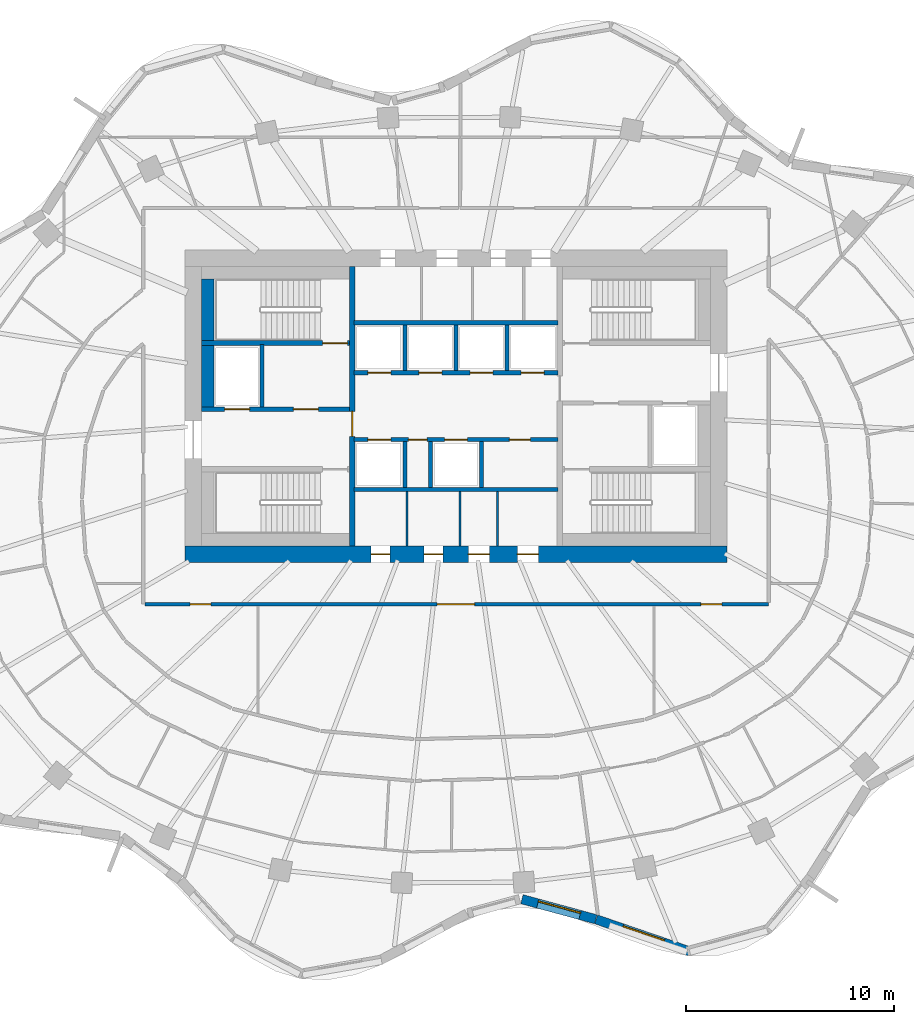
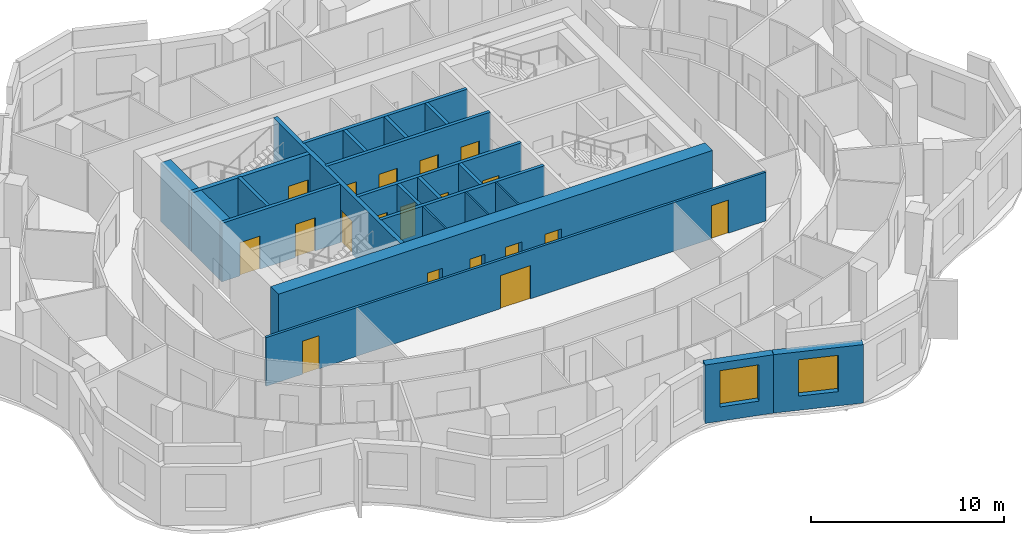
# One storey, part 5 of 11: 23 walls, 19 doors, 2 windows, 21 openings.
"""IFC4 building model written with IfcOpenShell, lengths in metres."""

import ifcopenshell
import ifcopenshell.guid

model = None  # the IFC model being written
_history = None  # IfcOwnerHistory: only IFC2X3 demands one
_inside = {}  # id of a spatial element -> (the spatial element, [elements in it])
_under = {}  # id of a project, library or spatial element -> (it, [spatial elements below it])
_declared = {}  # id of a project -> (the project, [libraries it declares])
_typed = {}  # id of a type object -> (the type object, [elements of that type])
_made_of = {}  # id of a material, layer set ... -> (it, [elements and type objects made of it])


def new_model(schema):
    """Start an empty IFC model of exactly this schema.

    Asked for "IFC4X3", IfcOpenShell would pick the latest addendum, in which some entities
    have other attributes; the version numbers below select the first issue.
    IFC2X3 requires an IfcOwnerHistory on every rooted entity: one is made here for all.
    """
    global model, _history
    if schema == "IFC4X3":
        model = ifcopenshell.file(schema_version=(4, 3, 0, 0))
    else:
        model = ifcopenshell.file(schema=schema)
    _inside.clear()
    _under.clear()
    _declared.clear()
    _typed.clear()
    _made_of.clear()
    _history = None
    if model.schema == "IFC2X3":
        org = make("IfcOrganization", Name="unknown")
        user = make(
            "IfcPersonAndOrganization",
            ThePerson=make("IfcPerson", FamilyName="unknown"),
            TheOrganization=org,
        )
        app = make(
            "IfcApplication",
            ApplicationDeveloper=org,
            Version="unknown",
            ApplicationFullName="unknown",
            ApplicationIdentifier="unknown",
        )
        _history = make(
            "IfcOwnerHistory",
            OwningUser=user,
            OwningApplication=app,
            ChangeAction="ADDED",
            CreationDate=0,
        )
    return model


def make(cls, **values):
    """One entity of the class cls with the attributes given. An attribute that is None is left unset."""
    return model.create_entity(
        cls, **{name: value for name, value in values.items() if value is not None}
    )


def rooted(cls, **values):
    """An entity with a GlobalId (a new one), such as an element, a storey or a relation."""
    return make(cls, GlobalId=ifcopenshell.guid.new(), OwnerHistory=_history, **values)


def si_unit(unit_type, name, prefix=None):
    """IfcSIUnit, for example si_unit("LENGTHUNIT", "METRE", prefix="MILLI")."""
    return make("IfcSIUnit", UnitType=unit_type, Prefix=prefix, Name=name)


def assignment(units):
    """IfcUnitAssignment: the units of a project."""
    return None if units is None else make("IfcUnitAssignment", Units=units)


def point(xyz):
    """IfcCartesianPoint."""
    return None if xyz is None else make("IfcCartesianPoint", Coordinates=xyz)


def direction(xyz):
    """IfcDirection."""
    return None if xyz is None else make("IfcDirection", DirectionRatios=xyz)


def frame(location, z_axis=None, x_axis=None):
    """IfcAxis2Placement3D, a coordinate frame: its origin and axes. An axis left out is left unset."""
    return make(
        "IfcAxis2Placement3D",
        Location=point(location),
        Axis=direction(z_axis),
        RefDirection=direction(x_axis),
    )


def frame_2d(location, x_axis=None):
    """IfcAxis2Placement2D, a coordinate frame in the plane: its origin and x axis."""
    return make(
        "IfcAxis2Placement2D", Location=point(location), RefDirection=direction(x_axis)
    )


def origin():
    """The frame at (0, 0, 0) with its axes left unset."""
    return frame((0.0, 0.0, 0.0))


def place(relative_to, where):
    """IfcLocalPlacement: puts the frame where relative to a parent placement (None: the world)."""
    return make(
        "IfcLocalPlacement", PlacementRelTo=relative_to, RelativePlacement=where
    )


def context(
    kind, dimensions, precision=None, world=None, true_north=None, identifier=None
):
    """IfcGeometricRepresentationContext, for example the 3D "Model" context."""
    return make(
        "IfcGeometricRepresentationContext",
        ContextIdentifier=identifier,
        ContextType=kind,
        CoordinateSpaceDimension=dimensions,
        Precision=precision,
        WorldCoordinateSystem=world,
        TrueNorth=true_north,
    )


def subcontext(parent, identifier, kind, view, scale=None):
    """IfcGeometricRepresentationSubContext, for example "Body" below "Model"."""
    return make(
        "IfcGeometricRepresentationSubContext",
        ContextIdentifier=identifier,
        ContextType=kind,
        ParentContext=parent,
        TargetScale=scale,
        TargetView=view,
    )


def project(units=None, contexts=None):
    """IfcProject with its units and contexts."""
    return rooted(
        "IfcProject",
        Name="project",
        RepresentationContexts=contexts,
        UnitsInContext=assignment(units),
    )


def spatial(cls, under=None, at=None, **own):
    """A site, building, storey or space (cls), placed at a placement, below another one or the project."""
    s = rooted(cls, ObjectPlacement=at, **own)
    if under is not None:
        _under.setdefault(under.id(), (under, []))[1].append(s)
    return s


def profile(cls, at=None, kind="AREA", **sizes):
    """A parametric profile (cls). Its sizes go by their IFC names, for example OverallWidth=200.0."""
    return make(cls, ProfileType=kind, Position=at, **sizes)


def rectangle(**sizes):
    """IfcRectangleProfileDef."""
    return profile("IfcRectangleProfileDef", **sizes)


def extrude(swept, where, along, depth):
    """IfcExtrudedAreaSolid: the profile swept, set in the frame where, extruded along a direction by depth."""
    return make(
        "IfcExtrudedAreaSolid",
        SweptArea=swept,
        Position=where,
        ExtrudedDirection=direction(along),
        Depth=depth,
    )


def shape(context_of_items, identifier, shape_type, items):
    """IfcShapeRepresentation: the items that make up one representation, for example the "Body"."""
    return make(
        "IfcShapeRepresentation",
        ContextOfItems=context_of_items,
        RepresentationIdentifier=identifier,
        RepresentationType=shape_type,
        Items=items,
    )


def material(Name=None, Category=None):
    """IfcMaterial."""
    return make("IfcMaterial", Name=Name, Category=Category)


def layer(
    of_material, thickness, ventilated=None, Name=None, Category=None, Priority=None
):
    """IfcMaterialLayer: one layer of a wall or slab, of a material (None: an air gap)."""
    return make(
        "IfcMaterialLayer",
        Material=of_material,
        LayerThickness=thickness,
        IsVentilated=ventilated,
        Name=Name,
        Category=Category,
        Priority=Priority,
    )


def layer_set(layers, Name=None):
    """IfcMaterialLayerSet."""
    return make("IfcMaterialLayerSet", MaterialLayers=layers, LayerSetName=Name)


def made_of(thing, what):
    """Note that an element or type object is made of a material, layer set ...; save() writes the relation."""
    if what is not None:
        _made_of.setdefault(what.id(), (what, []))[1].append(thing)
    return thing


def type_object(cls, material=None, **own):
    """A type object (cls), such as IfcWallType, which elements share."""
    return made_of(rooted(cls, **own), material)


def element(
    cls,
    number,
    at=None,
    inside=None,
    cuts=None,
    type_object=None,
    material=None,
    context=None,
    identifier="Body",
    shape_type=None,
    held_by="IfcProductDefinitionShape",
    body=None,
    shapes=None,
    **own,
):
    """One element of the class cls, such as IfcWall. Its Tag is "e" and its number.

    at: its placement. inside: the storey or other place that contains it. cuts: it is an
    opening in that element (IfcRelVoidsElement). A single representation is given by context,
    identifier, shape_type and body (its items); several are given by shapes. held_by: the class
    of the entity that holds the representations. save() writes the other relations.
    """
    e = rooted(cls, Tag="e%d" % number, ObjectPlacement=at, **own)
    if body is not None:
        shapes = [shape(context, identifier, shape_type, body)]
    if shapes is not None:
        e.Representation = make(held_by, Representations=shapes)
    if inside is not None:
        _inside.setdefault(inside.id(), (inside, []))[1].append(e)
    if cuts is not None:
        rooted(
            "IfcRelVoidsElement", RelatingBuildingElement=cuts, RelatedOpeningElement=e
        )
    if type_object is not None:
        _typed.setdefault(type_object.id(), (type_object, []))[1].append(e)
    return made_of(e, material)


def fill(opening, filler):
    """IfcRelFillsElement: the door or window that sits in an opening."""
    return rooted(
        "IfcRelFillsElement",
        RelatingOpeningElement=opening,
        RelatedBuildingElement=filler,
    )


def aggregate(whole, parts):
    """IfcRelAggregates: a whole, such as a stair, and the parts it consists of."""
    return rooted("IfcRelAggregates", RelatingObject=whole, RelatedObjects=parts)


def save(model, path):
    """Write the relations noted so far, then the file.

    IfcRelAggregates (storeys below a building ...), IfcRelContainedInSpatialStructure (elements
    in a storey), IfcRelDefinesByType, IfcRelAssociatesMaterial and IfcRelDeclares: one each for
    every whole, place, type object, material and project.
    """
    for whole, parts in _under.values():
        aggregate(whole, parts)
    for where, things in _inside.values():
        rooted(
            "IfcRelContainedInSpatialStructure",
            RelatedElements=things,
            RelatingStructure=where,
        )
    for kind, things in _typed.values():
        rooted("IfcRelDefinesByType", RelatedObjects=things, RelatingType=kind)
    for what, things in _made_of.values():
        rooted("IfcRelAssociatesMaterial", RelatedObjects=things, RelatingMaterial=what)
    for by, libraries in _declared.values():
        rooted("IfcRelDeclares", RelatingContext=by, RelatedDefinitions=libraries)
    model.write(path)


model = new_model("IFC4")

# Units and contexts
model_context = context("Model", 3, precision=1e-05, world=origin(), true_north=direction((0.0, 1.0)))
body_context = subcontext(model_context, "Body", "Model", "MODEL_VIEW")
ifc_project = project(units=[si_unit("LENGTHUNIT", "METRE"), si_unit("AREAUNIT", "SQUARE_METRE"), si_unit("VOLUMEUNIT", "CUBIC_METRE"), si_unit("PLANEANGLEUNIT", "RADIAN"), si_unit("MASSUNIT", "GRAM", prefix="KILO")], contexts=[model_context])

# Site, building, storey
site_placement = place(None, origin())
site = spatial("IfcSite", under=ifc_project, at=site_placement, CompositionType="ELEMENT")
building_placement = place(site_placement, origin())
building = spatial("IfcBuilding", under=site, at=building_placement, Name="Rubra Terraces Tower", CompositionType="ELEMENT")
storey_placement = place(building_placement, frame((0.0, 0.0, 181.800048828125)))
storey = spatial("IfcBuildingStorey", under=building, at=storey_placement, Name="L44", CompositionType="ELEMENT", Elevation=181.800048828125)

# Wall, opening, window
ifc_material_1 = material(Name="Brick masonry red-brown", Category="masonry")
ifc_layer_1 = layer(ifc_material_1, 0.449951171875)
ifc_layer_set_1 = layer_set([ifc_layer_1], Name="Brick masonry red-brown")
wall_type_1 = type_object("IfcWallType", Name="Brick facade wall 450", PredefinedType="SOLIDWALL", material=ifc_layer_set_1)
wall_1_placement = place(storey_placement, frame((3.164306640625, -19.147216796875, 0.0), z_axis=(0.0, 0.0, 1.0), x_axis=(0.965039479998, -0.262104563191, 0.0)))
wall_1 = element("IfcWall", 1, at=wall_1_placement, inside=storey, type_object=wall_type_1, Name="Facade wall L44 bay 32", PredefinedType="SOLIDWALL", context=body_context, shape_type="SweptSolid", body=[
    extrude(rectangle(XDim=3.671875, YDim=0.449951171875, at=frame_2d((1.8359375, 0.0))), origin(), (0.0, 0.0, 1.0), 3.699951171875),
])
opening_1_placement = place(wall_1_placement, frame((0.785888671875, 0.0, 0.89990234375)))
opening_1 = element("IfcOpeningElement", 2, at=opening_1_placement, cuts=wall_1, Name="Opening W1B", PredefinedType="OPENING", context=body_context, shape_type="SweptSolid", body=[
    extrude(rectangle(XDim=2.10009765625, YDim=2.300048828125, at=frame_2d((1.050048828125, 1.14990234375))), frame((0.0, 0.23486328125, 0.0), z_axis=(0.0, -1.0, 0.0), x_axis=(1.0, 0.0, 0.0)), (0.0, 0.0, 1.0), 0.469970703125),
])
ifc_material_2 = material(Name="Clear glass in aluminium frame", Category="aluminium")
window_type = type_object("IfcWindowType", Name="Fixed deep-set window tall storey 2100 x 2300", PartitioningType="SINGLE_PANEL", PredefinedType="WINDOW", material=ifc_material_2)
window_1_placement = place(opening_1_placement, origin())
window_1 = element("IfcWindow", 3, at=window_1_placement, inside=storey, type_object=window_type, Name="Window L44 bay 32", OverallHeight=2.300048828125, OverallWidth=2.10009765625, PartitioningType="SINGLE_PANEL", PredefinedType="WINDOW", context=body_context, shape_type="SweptSolid", body=[
    extrude(rectangle(XDim=2.10009765625, YDim=2.300048828125, at=frame_2d((1.050048828125, 1.14990234375))), frame((0.0, 0.135009765625, 0.0), z_axis=(0.0, -1.0, 0.0), x_axis=(1.0, 0.0, 0.0)), (0.0, 0.0, 1.0), 0.06005859375),
])
fill(opening_1, window_1)

wall_2_placement = place(storey_placement, frame((6.722900390625, -20.114013671875, 0.0), z_axis=(0.0, 0.0, 1.0), x_axis=(0.945947299026, -0.324320377815, 0.0)))
wall_2 = element("IfcWall", 4, at=wall_2_placement, inside=storey, type_object=wall_type_1, Name="Facade wall L44 bay 33", PredefinedType="SOLIDWALL", context=body_context, shape_type="SweptSolid", body=[
    extrude(rectangle(XDim=4.74462890625, YDim=0.449951171875, at=frame_2d((2.372314453125, 0.0))), origin(), (0.0, 0.0, 1.0), 3.699951171875),
])
opening_2_placement = place(wall_2_placement, frame((1.322265625, 0.0, 0.89990234375)))
opening_2 = element("IfcOpeningElement", 5, at=opening_2_placement, cuts=wall_2, Name="Opening W1B", PredefinedType="OPENING", context=body_context, shape_type="SweptSolid", body=[
    extrude(rectangle(XDim=2.10009765625, YDim=2.300048828125, at=frame_2d((1.050048828125, 1.14990234375))), frame((0.0, 0.23486328125, 0.0), z_axis=(0.0, -1.0, 0.0), x_axis=(1.0, 0.0, 0.0)), (0.0, 0.0, 1.0), 0.469970703125),
])
window_2_placement = place(opening_2_placement, origin())
window_2 = element("IfcWindow", 6, at=window_2_placement, inside=storey, type_object=window_type, Name="Window L44 bay 33", OverallHeight=2.300048828125, OverallWidth=2.10009765625, PartitioningType="SINGLE_PANEL", PredefinedType="WINDOW", context=body_context, shape_type="SweptSolid", body=[
    extrude(rectangle(XDim=2.10009765625, YDim=2.300048828125, at=frame_2d((1.050048828125, 1.14990234375))), frame((0.0, 0.135009765625, 0.0), z_axis=(0.0, -1.0, 0.0), x_axis=(1.0, 0.0, 0.0)), (0.0, 0.0, 1.0), 0.06005859375),
])
fill(opening_2, window_2)

# Wall, openings, doors
ifc_material_3 = material(Name="Concrete C50", Category="concrete")
ifc_layer_2 = layer(ifc_material_3, 0.800048828125)
ifc_layer_set_2 = layer_set([ifc_layer_2], Name="Concrete C50")
wall_type_2 = type_object("IfcWallType", Name="CORE WALL 800 C50", PredefinedType="SHEAR", material=ifc_layer_set_2)
wall_3_placement = place(storey_placement, frame((-13.0, -2.60009765625, 0.0), z_axis=(0.0, 0.0, 1.0), x_axis=(1.0, 0.0, 0.0)))
wall_3 = element("IfcWall", 7, at=wall_3_placement, inside=storey, type_object=wall_type_2, Name="CORE WALL S L44", PredefinedType="SHEAR", context=body_context, shape_type="SweptSolid", body=[
    extrude(rectangle(XDim=26.0, YDim=0.800048828125, at=frame_2d((13.0, 0.0))), origin(), (0.0, 0.0, 1.0), 3.89990234375),
])
opening_3_placement = place(wall_3_placement, frame((8.925048828125, 0.0, 0.0)))
opening_3 = element("IfcOpeningElement", 8, at=opening_3_placement, cuts=wall_3, Name="Opening L44.C21", PredefinedType="OPENING", context=body_context, shape_type="SweptSolid", body=[
    extrude(rectangle(XDim=0.89990234375, YDim=2.10009765625, at=frame_2d((0.449951171875, 1.050048828125))), frame((0.0, 0.409912109375, 0.0), z_axis=(0.0, -1.0, 0.0), x_axis=(1.0, 0.0, 0.0)), (0.0, 0.0, 1.0), 0.820068359375),
])
opening_4_placement = place(wall_3_placement, frame((11.47509765625, 0.0, 0.0)))
opening_4 = element("IfcOpeningElement", 9, at=opening_4_placement, cuts=wall_3, Name="Opening L44.C22", PredefinedType="OPENING", context=body_context, shape_type="SweptSolid", body=[
    extrude(rectangle(XDim=0.89990234375, YDim=2.10009765625, at=frame_2d((0.449951171875, 1.050048828125))), frame((0.0, 0.409912109375, 0.0), z_axis=(0.0, -1.0, 0.0), x_axis=(1.0, 0.0, 0.0)), (0.0, 0.0, 1.0), 0.820068359375),
])
opening_5_placement = place(wall_3_placement, frame((13.60009765625, 0.0, 0.0)))
opening_5 = element("IfcOpeningElement", 10, at=opening_5_placement, cuts=wall_3, Name="Opening L44.C23", PredefinedType="OPENING", context=body_context, shape_type="SweptSolid", body=[
    extrude(rectangle(XDim=1.0, YDim=2.10009765625, at=frame_2d((0.5, 1.050048828125))), frame((0.0, 0.409912109375, 0.0), z_axis=(0.0, -1.0, 0.0), x_axis=(1.0, 0.0, 0.0)), (0.0, 0.0, 1.0), 0.820068359375),
])
opening_6_placement = place(wall_3_placement, frame((15.949951171875, 0.0, 0.0)))
opening_6 = element("IfcOpeningElement", 11, at=opening_6_placement, cuts=wall_3, Name="Opening L44.C24", PredefinedType="OPENING", context=body_context, shape_type="SweptSolid", body=[
    extrude(rectangle(XDim=1.0, YDim=2.10009765625, at=frame_2d((0.5, 1.050048828125))), frame((0.0, 0.409912109375, 0.0), z_axis=(0.0, -1.0, 0.0), x_axis=(1.0, 0.0, 0.0)), (0.0, 0.0, 1.0), 0.820068359375),
])
ifc_material_4 = material(Name="Painted steel", Category="steel")
door_type_1 = type_object("IfcDoorType", Name="Fire door 1000x2100 single", OperationType="NOTDEFINED", PredefinedType="DOOR", material=ifc_material_4)
door_1_placement = place(opening_5_placement, origin())
door_1 = element("IfcDoor", 12, at=door_1_placement, inside=storey, type_object=door_type_1, Name="Accessible WC door", OperationType="SINGLE_SWING_LEFT", OverallHeight=2.10009765625, OverallWidth=1.0, PredefinedType="DOOR", context=body_context, shape_type="SweptSolid", body=[
    extrude(rectangle(XDim=1.0, YDim=2.10009765625, at=frame_2d((0.5, 1.050048828125))), frame((0.0, 0.02490234375, 0.0), z_axis=(0.0, -1.0, 0.0), x_axis=(1.0, 0.0, 0.0)), (0.0, 0.0, 1.0), 0.050048828125),
])
fill(opening_5, door_1)
door_2_placement = place(opening_6_placement, origin())
door_2 = element("IfcDoor", 13, at=door_2_placement, inside=storey, type_object=door_type_1, Name="General store door", OperationType="SINGLE_SWING_RIGHT", OverallHeight=2.10009765625, OverallWidth=1.0, PredefinedType="DOOR", context=body_context, shape_type="SweptSolid", body=[
    extrude(rectangle(XDim=1.0, YDim=2.10009765625, at=frame_2d((0.5, 1.050048828125))), frame((0.0, 0.02490234375, 0.0), z_axis=(0.0, -1.0, 0.0), x_axis=(1.0, 0.0, 0.0)), (0.0, 0.0, 1.0), 0.050048828125),
])
fill(opening_6, door_2)
door_type_2 = type_object("IfcDoorType", Name="Fire door 900x2100 single", OperationType="NOTDEFINED", PredefinedType="DOOR", material=ifc_material_4)
door_3_placement = place(opening_3_placement, origin())
door_3 = element("IfcDoor", 14, at=door_3_placement, inside=storey, type_object=door_type_2, Name="Ladies WC door", OperationType="SINGLE_SWING_LEFT", OverallHeight=2.10009765625, OverallWidth=0.89990234375, PredefinedType="DOOR", context=body_context, shape_type="SweptSolid", body=[
    extrude(rectangle(XDim=0.89990234375, YDim=2.10009765625, at=frame_2d((0.449951171875, 1.050048828125))), frame((0.0, 0.02490234375, 0.0), z_axis=(0.0, -1.0, 0.0), x_axis=(1.0, 0.0, 0.0)), (0.0, 0.0, 1.0), 0.050048828125),
])
fill(opening_3, door_3)
door_4_placement = place(opening_4_placement, origin())
door_4 = element("IfcDoor", 15, at=door_4_placement, inside=storey, type_object=door_type_2, Name="Gents WC door", OperationType="SINGLE_SWING_RIGHT", OverallHeight=2.10009765625, OverallWidth=0.89990234375, PredefinedType="DOOR", context=body_context, shape_type="SweptSolid", body=[
    extrude(rectangle(XDim=0.89990234375, YDim=2.10009765625, at=frame_2d((0.449951171875, 1.050048828125))), frame((0.0, 0.02490234375, 0.0), z_axis=(0.0, -1.0, 0.0), x_axis=(1.0, 0.0, 0.0)), (0.0, 0.0, 1.0), 0.050048828125),
])
fill(opening_4, door_4)

ifc_material_5 = material(Name="Plasterboard on steel stud, mineral wool infill", Category="steel")
ifc_layer_3 = layer(ifc_material_5, 0.14990234375)
ifc_layer_set_3 = layer_set([ifc_layer_3], Name="Plasterboard on steel stud, mineral wool infill")
wall_type_3 = type_object("IfcWallType", Name="CORRIDOR PARTITION 150", PredefinedType="PARTITIONING", material=ifc_layer_set_3)
wall_4_placement = place(storey_placement, frame((-14.925048828125, -5.0, 0.0), z_axis=(0.0, 0.0, 1.0), x_axis=(1.0, 0.0, 0.0)))
wall_4 = element("IfcWall", 16, at=wall_4_placement, inside=storey, type_object=wall_type_3, Name="PARTITION", PredefinedType="PARTITIONING", context=body_context, shape_type="SweptSolid", body=[
    extrude(rectangle(XDim=29.925048828125, YDim=0.14990234375, at=frame_2d((14.96240234375, 0.0))), origin(), (0.0, 0.0, 1.0), 3.083984375),
])
opening_7_placement = place(wall_4_placement, frame((2.175048828125, 0.0, 0.0)))
opening_7 = element("IfcOpeningElement", 17, at=opening_7_placement, cuts=wall_4, Name="Opening 44-128", PredefinedType="OPENING", context=body_context, shape_type="SweptSolid", body=[
    extrude(rectangle(XDim=1.0, YDim=2.10009765625, at=frame_2d((0.5, 1.050048828125))), frame((0.0, 0.0849609375, 0.0), z_axis=(0.0, -1.0, 0.0), x_axis=(1.0, 0.0, 0.0)), (0.0, 0.0, 1.0), 0.169921875),
])
opening_8_placement = place(wall_4_placement, frame((14.02490234375, 0.0, 0.0)))
opening_8 = element("IfcOpeningElement", 18, at=opening_8_placement, cuts=wall_4, Name="Opening 44-129", PredefinedType="OPENING", context=body_context, shape_type="SweptSolid", body=[
    extrude(rectangle(XDim=1.800048828125, YDim=2.10009765625, at=frame_2d((0.89990234375, 1.050048828125))), frame((0.0, 0.0849609375, 0.0), z_axis=(0.0, -1.0, 0.0), x_axis=(1.0, 0.0, 0.0)), (0.0, 0.0, 1.0), 0.169921875),
])
opening_9_placement = place(wall_4_placement, frame((26.675048828125, 0.0, 0.0)))
opening_9 = element("IfcOpeningElement", 19, at=opening_9_placement, cuts=wall_4, Name="Opening 44-130", PredefinedType="OPENING", context=body_context, shape_type="SweptSolid", body=[
    extrude(rectangle(XDim=1.0, YDim=2.10009765625, at=frame_2d((0.5, 1.050048828125))), frame((0.0, 0.0849609375, 0.0), z_axis=(0.0, -1.0, 0.0), x_axis=(1.0, 0.0, 0.0)), (0.0, 0.0, 1.0), 0.169921875),
])
ifc_material_6 = material(Name="Painted timber door leaf", Category="wood")
door_type_3 = type_object("IfcDoorType", Name="ROOM DOOR 1000 X 2100", OperationType="SINGLE_SWING_LEFT", PredefinedType="DOOR", material=ifc_material_6)
door_5_placement = place(opening_7_placement, origin())
door_5 = element("IfcDoor", 20, at=door_5_placement, inside=storey, type_object=door_type_3, Name="DOOR 44-128", OperationType="SINGLE_SWING_RIGHT", OverallHeight=2.10009765625, OverallWidth=1.0, PredefinedType="DOOR", context=body_context, shape_type="SweptSolid", body=[
    extrude(rectangle(XDim=1.0, YDim=2.10009765625, at=frame_2d((0.5, 1.050048828125))), frame((0.0, 0.02490234375, 0.0), z_axis=(0.0, -1.0, 0.0), x_axis=(1.0, 0.0, 0.0)), (0.0, 0.0, 1.0), 0.050048828125),
])
fill(opening_7, door_5)
door_6_placement = place(opening_9_placement, origin())
door_6 = element("IfcDoor", 21, at=door_6_placement, inside=storey, type_object=door_type_3, Name="DOOR 44-130", OperationType="SINGLE_SWING_RIGHT", OverallHeight=2.10009765625, OverallWidth=1.0, PredefinedType="DOOR", context=body_context, shape_type="SweptSolid", body=[
    extrude(rectangle(XDim=1.0, YDim=2.10009765625, at=frame_2d((0.5, 1.050048828125))), frame((0.0, 0.02490234375, 0.0), z_axis=(0.0, -1.0, 0.0), x_axis=(1.0, 0.0, 0.0)), (0.0, 0.0, 1.0), 0.050048828125),
])
fill(opening_9, door_6)
ifc_material_7 = material(Name="Painted timber door leaf, double", Category="wood")
door_type_4 = type_object("IfcDoorType", Name="ROOM DOUBLE DOOR 1800 X 2100", OperationType="DOUBLE_DOOR_SINGLE_SWING", PredefinedType="DOOR", material=ifc_material_7)
door_7_placement = place(opening_8_placement, origin())
door_7 = element("IfcDoor", 22, at=door_7_placement, inside=storey, type_object=door_type_4, Name="DOOR 44-129", OperationType="DOUBLE_DOOR_SINGLE_SWING", OverallHeight=2.10009765625, OverallWidth=1.800048828125, PredefinedType="DOOR", context=body_context, shape_type="SweptSolid", body=[
    extrude(rectangle(XDim=1.800048828125, YDim=2.10009765625, at=frame_2d((0.89990234375, 1.050048828125))), frame((0.0, 0.02490234375, 0.0), z_axis=(0.0, -1.0, 0.0), x_axis=(1.0, 0.0, 0.0)), (0.0, 0.0, 1.0), 0.050048828125),
])
fill(opening_8, door_7)

# Walls
ifc_material_8 = material(Name="Concrete C40", Category="concrete")
ifc_layer_4 = layer(ifc_material_8, 0.60009765625)
ifc_layer_set_4 = layer_set([ifc_layer_4], Name="Concrete C40")
wall_type_4 = type_object("IfcWallType", Name="Core lining wall 600 concrete", PredefinedType="SOLIDWALL", material=ifc_layer_set_4)
wall_5_placement = place(storey_placement, frame((-11.89990234375, 4.449951171875, 0.0), z_axis=(0.0, 0.0, 1.0), x_axis=(0.0, 1.0, 0.0)))
element("IfcWall", 23, at=wall_5_placement, inside=storey, type_object=wall_type_4, Name="CORE LINING WALL L44", PredefinedType="SOLIDWALL", context=body_context, shape_type="SweptSolid", body=[
    extrude(rectangle(XDim=3.0, YDim=0.60009765625, at=frame_2d((1.5, 0.0))), origin(), (0.0, 0.0, 1.0), 3.699951171875),
])
wall_6_placement = place(storey_placement, frame((-11.89990234375, 7.64990234375, 0.0), z_axis=(0.0, 0.0, 1.0), x_axis=(0.0, 1.0, 0.0)))
element("IfcWall", 24, at=wall_6_placement, inside=storey, type_object=wall_type_4, Name="CORE LINING WALL L44", PredefinedType="SOLIDWALL", context=body_context, shape_type="SweptSolid", body=[
    extrude(rectangle(XDim=2.9501953125, YDim=0.60009765625, at=frame_2d((1.47509765625, 0.0))), origin(), (0.0, 0.0, 1.0), 3.699951171875),
])

# Wall, openings, doors
ifc_material_9 = material(Name="Concrete C30", Category="concrete")
ifc_layer_5 = layer(ifc_material_9, 0.199951171875)
ifc_layer_set_5 = layer_set([ifc_layer_5], Name="Concrete C30")
wall_type_5 = type_object("IfcWallType", Name="Core wall 200 concrete", PredefinedType="SOLIDWALL", material=ifc_layer_set_5)
wall_7_placement = place(storey_placement, frame((-12.199951171875, 4.35009765625, 0.0), z_axis=(0.0, 0.0, 1.0), x_axis=(1.0, 0.0, 0.0)))
wall_7 = element("IfcWall", 25, at=wall_7_placement, inside=storey, type_object=wall_type_5, Name="STAIR WALL L44", PredefinedType="SOLIDWALL", context=body_context, shape_type="SweptSolid", body=[
    extrude(rectangle(XDim=7.099853515625, YDim=0.199951171875, at=frame_2d((3.5498046875, 0.0))), origin(), (0.0, 0.0, 1.0), 3.699951171875),
])
opening_10_placement = place(wall_7_placement, frame((4.39990234375, 0.0, 0.0)))
opening_10 = element("IfcOpeningElement", 26, at=opening_10_placement, cuts=wall_7, Name="Opening L44.C05", PredefinedType="OPENING", context=body_context, shape_type="SweptSolid", body=[
    extrude(rectangle(XDim=1.199951171875, YDim=2.10009765625, at=frame_2d((0.60009765625, 1.050048828125))), frame((0.0, 0.10986328125, 0.0), z_axis=(0.0, -1.0, 0.0), x_axis=(1.0, 0.0, 0.0)), (0.0, 0.0, 1.0), 0.219970703125),
])
opening_11_placement = place(wall_7_placement, frame((1.10009765625, 0.0, 0.0)))
opening_11 = element("IfcOpeningElement", 27, at=opening_11_placement, cuts=wall_7, Name="Opening L44.C11", PredefinedType="OPENING", context=body_context, shape_type="SweptSolid", body=[
    extrude(rectangle(XDim=1.199951171875, YDim=2.10009765625, at=frame_2d((0.60009765625, 1.050048828125))), frame((0.0, 0.10986328125, 0.0), z_axis=(0.0, -1.0, 0.0), x_axis=(1.0, 0.0, 0.0)), (0.0, 0.0, 1.0), 0.219970703125),
])
door_type_5 = type_object("IfcDoorType", Name="Fire door 1200x2100 single", OperationType="NOTDEFINED", PredefinedType="DOOR", material=ifc_material_4)
door_8_placement = place(opening_10_placement, origin())
door_8 = element("IfcDoor", 28, at=door_8_placement, inside=storey, type_object=door_type_5, Name="Stair vestibule door S2", OperationType="SINGLE_SWING_LEFT", OverallHeight=2.10009765625, OverallWidth=1.199951171875, PredefinedType="DOOR", context=body_context, shape_type="SweptSolid", body=[
    extrude(rectangle(XDim=1.199951171875, YDim=2.10009765625, at=frame_2d((0.60009765625, 1.050048828125))), frame((0.0, 0.02490234375, 0.0), z_axis=(0.0, -1.0, 0.0), x_axis=(1.0, 0.0, 0.0)), (0.0, 0.0, 1.0), 0.050048828125),
])
fill(opening_10, door_8)
ifc_material_10 = material(Name="Stainless steel", Category="steel")
door_type_6 = type_object("IfcDoorType", Name="Lift landing door 1200x2100", OperationType="NOTDEFINED", PredefinedType="DOOR", material=ifc_material_10)
door_9_placement = place(opening_11_placement, origin())
door_9 = element("IfcDoor", 29, at=door_9_placement, inside=storey, type_object=door_type_6, Name="Landing door FF1", OperationType="SLIDING_TO_RIGHT", OverallHeight=2.10009765625, OverallWidth=1.199951171875, PredefinedType="DOOR", context=body_context, shape_type="SweptSolid", body=[
    extrude(rectangle(XDim=1.199951171875, YDim=2.10009765625, at=frame_2d((0.60009765625, 1.050048828125))), frame((0.0, 0.02490234375, 0.0), z_axis=(0.0, -1.0, 0.0), x_axis=(1.0, 0.0, 0.0)), (0.0, 0.0, 1.0), 0.050048828125),
])
fill(opening_11, door_9)

# Walls
wall_8_placement = place(storey_placement, frame((-9.300048828125, 4.449951171875, 0.0), z_axis=(0.0, 0.0, 1.0), x_axis=(0.0, 1.0, 0.0)))
element("IfcWall", 30, at=wall_8_placement, inside=storey, type_object=wall_type_5, Name="STAIR WALL L44", PredefinedType="SOLIDWALL", context=body_context, shape_type="SweptSolid", body=[
    extrude(rectangle(XDim=3.0, YDim=0.199951171875, at=frame_2d((1.5, 0.0))), origin(), (0.0, 0.0, 1.0), 3.699951171875),
])
wall_9_placement = place(storey_placement, frame((-4.89990234375, 0.5, 0.0), z_axis=(0.0, 0.0, 1.0), x_axis=(1.0, 0.0, 0.0)))
element("IfcWall", 31, at=wall_9_placement, inside=storey, type_object=wall_type_5, Name="LIFT SHAFT WALL L44", PredefinedType="SOLIDWALL", context=body_context, shape_type="SweptSolid", body=[
    extrude(rectangle(XDim=9.7998046875, YDim=0.199951171875, at=frame_2d((4.89990234375, 0.0))), origin(), (0.0, 0.0, 1.0), 3.699951171875),
])

# Wall, openings, doors
wall_10_placement = place(storey_placement, frame((-4.89990234375, 2.89990234375, 0.0), z_axis=(0.0, 0.0, 1.0), x_axis=(1.0, 0.0, 0.0)))
wall_10 = element("IfcWall", 32, at=wall_10_placement, inside=storey, type_object=wall_type_5, Name="LIFT SHAFT WALL L44", PredefinedType="SOLIDWALL", context=body_context, shape_type="SweptSolid", body=[
    extrude(rectangle(XDim=9.7998046875, YDim=0.199951171875, at=frame_2d((4.89990234375, 0.0))), origin(), (0.0, 0.0, 1.0), 3.699951171875),
])
opening_12_placement = place(wall_10_placement, frame((0.675048828125, 0.0, 0.0)))
opening_12 = element("IfcOpeningElement", 33, at=opening_12_placement, cuts=wall_10, Name="Opening L44.C13", PredefinedType="OPENING", context=body_context, shape_type="SweptSolid", body=[
    extrude(rectangle(XDim=1.10009765625, YDim=2.10009765625, at=frame_2d((0.550048828125, 1.050048828125))), frame((0.0, 0.10986328125, 0.0), z_axis=(0.0, -1.0, 0.0), x_axis=(1.0, 0.0, 0.0)), (0.0, 0.0, 1.0), 0.219970703125),
])
opening_13_placement = place(wall_10_placement, frame((2.613037109375, 0.0, 0.0)))
opening_13 = element("IfcOpeningElement", 34, at=opening_13_placement, cuts=wall_10, Name="Opening L44.C14", PredefinedType="OPENING", context=body_context, shape_type="SweptSolid", body=[
    extrude(rectangle(XDim=0.89990234375, YDim=2.10009765625, at=frame_2d((0.449951171875, 1.050048828125))), frame((0.0, 0.10986328125, 0.0), z_axis=(0.0, -1.0, 0.0), x_axis=(1.0, 0.0, 0.0)), (0.0, 0.0, 1.0), 0.219970703125),
])
opening_14_placement = place(wall_10_placement, frame((4.35009765625, 0.0, 0.0)))
opening_14 = element("IfcOpeningElement", 35, at=opening_14_placement, cuts=wall_10, Name="Opening L44.C15", PredefinedType="OPENING", context=body_context, shape_type="SweptSolid", body=[
    extrude(rectangle(XDim=1.10009765625, YDim=2.10009765625, at=frame_2d((0.550048828125, 1.050048828125))), frame((0.0, 0.10986328125, 0.0), z_axis=(0.0, -1.0, 0.0), x_axis=(1.0, 0.0, 0.0)), (0.0, 0.0, 1.0), 0.219970703125),
])
opening_15_placement = place(wall_10_placement, frame((7.462890625, 0.0, 0.0)))
opening_15 = element("IfcOpeningElement", 36, at=opening_15_placement, cuts=wall_10, Name="Opening L44.C16", PredefinedType="OPENING", context=body_context, shape_type="SweptSolid", body=[
    extrude(rectangle(XDim=1.0, YDim=2.10009765625, at=frame_2d((0.5, 1.050048828125))), frame((0.0, 0.10986328125, 0.0), z_axis=(0.0, -1.0, 0.0), x_axis=(1.0, 0.0, 0.0)), (0.0, 0.0, 1.0), 0.219970703125),
])
door_10_placement = place(opening_15_placement, origin())
door_10 = element("IfcDoor", 37, at=door_10_placement, inside=storey, type_object=door_type_1, Name="Security and building control room door", OperationType="SINGLE_SWING_RIGHT", OverallHeight=2.10009765625, OverallWidth=1.0, PredefinedType="DOOR", context=body_context, shape_type="SweptSolid", body=[
    extrude(rectangle(XDim=1.0, YDim=2.10009765625, at=frame_2d((0.5, 1.050048828125))), frame((0.0, 0.02490234375, 0.0), z_axis=(0.0, -1.0, 0.0), x_axis=(1.0, 0.0, 0.0)), (0.0, 0.0, 1.0), 0.050048828125),
])
fill(opening_15, door_10)
door_11_placement = place(opening_13_placement, origin())
door_11 = element("IfcDoor", 38, at=door_11_placement, inside=storey, type_object=door_type_2, Name="Cleaner's store door", OperationType="SINGLE_SWING_RIGHT", OverallHeight=2.10009765625, OverallWidth=0.89990234375, PredefinedType="DOOR", context=body_context, shape_type="SweptSolid", body=[
    extrude(rectangle(XDim=0.89990234375, YDim=2.10009765625, at=frame_2d((0.449951171875, 1.050048828125))), frame((0.0, 0.02490234375, 0.0), z_axis=(0.0, -1.0, 0.0), x_axis=(1.0, 0.0, 0.0)), (0.0, 0.0, 1.0), 0.050048828125),
])
fill(opening_13, door_11)
door_type_7 = type_object("IfcDoorType", Name="Lift landing door 1100x2100", OperationType="NOTDEFINED", PredefinedType="DOOR", material=ifc_material_10)
door_12_placement = place(opening_12_placement, origin())
door_12 = element("IfcDoor", 39, at=door_12_placement, inside=storey, type_object=door_type_7, Name="Landing door HB1", OperationType="SLIDING_TO_RIGHT", OverallHeight=2.10009765625, OverallWidth=1.10009765625, PredefinedType="DOOR", context=body_context, shape_type="SweptSolid", body=[
    extrude(rectangle(XDim=1.10009765625, YDim=2.10009765625, at=frame_2d((0.550048828125, 1.050048828125))), frame((0.0, 0.02490234375, 0.0), z_axis=(0.0, -1.0, 0.0), x_axis=(1.0, 0.0, 0.0)), (0.0, 0.0, 1.0), 0.050048828125),
])
fill(opening_12, door_12)
door_13_placement = place(opening_14_placement, origin())
door_13 = element("IfcDoor", 40, at=door_13_placement, inside=storey, type_object=door_type_7, Name="Landing door HB2", OperationType="SLIDING_TO_LEFT", OverallHeight=2.10009765625, OverallWidth=1.10009765625, PredefinedType="DOOR", context=body_context, shape_type="SweptSolid", body=[
    extrude(rectangle(XDim=1.10009765625, YDim=2.10009765625, at=frame_2d((0.550048828125, 1.050048828125))), frame((0.0, 0.02490234375, 0.0), z_axis=(0.0, -1.0, 0.0), x_axis=(1.0, 0.0, 0.0)), (0.0, 0.0, 1.0), 0.050048828125),
])
fill(opening_14, door_13)

wall_11_placement = place(storey_placement, frame((-4.89990234375, 6.10009765625, 0.0), z_axis=(0.0, 0.0, 1.0), x_axis=(1.0, 0.0, 0.0)))
wall_11 = element("IfcWall", 41, at=wall_11_placement, inside=storey, type_object=wall_type_5, Name="LIFT SHAFT WALL L44", PredefinedType="SOLIDWALL", context=body_context, shape_type="SweptSolid", body=[
    extrude(rectangle(XDim=9.7998046875, YDim=0.199951171875, at=frame_2d((4.89990234375, 0.0))), origin(), (0.0, 0.0, 1.0), 3.699951171875),
])
opening_16_placement = place(wall_11_placement, frame((0.675048828125, 0.0, 0.0)))
opening_16 = element("IfcOpeningElement", 42, at=opening_16_placement, cuts=wall_11, Name="Opening L44.C17", PredefinedType="OPENING", context=body_context, shape_type="SweptSolid", body=[
    extrude(rectangle(XDim=1.10009765625, YDim=2.10009765625, at=frame_2d((0.550048828125, 1.050048828125))), frame((0.0, 0.10986328125, 0.0), z_axis=(0.0, -1.0, 0.0), x_axis=(1.0, 0.0, 0.0)), (0.0, 0.0, 1.0), 0.219970703125),
])
opening_17_placement = place(wall_11_placement, frame((3.125, 0.0, 0.0)))
opening_17 = element("IfcOpeningElement", 43, at=opening_17_placement, cuts=wall_11, Name="Opening L44.C18", PredefinedType="OPENING", context=body_context, shape_type="SweptSolid", body=[
    extrude(rectangle(XDim=1.10009765625, YDim=2.10009765625, at=frame_2d((0.550048828125, 1.050048828125))), frame((0.0, 0.10986328125, 0.0), z_axis=(0.0, -1.0, 0.0), x_axis=(1.0, 0.0, 0.0)), (0.0, 0.0, 1.0), 0.219970703125),
])
opening_18_placement = place(wall_11_placement, frame((5.574951171875, 0.0, 0.0)))
opening_18 = element("IfcOpeningElement", 44, at=opening_18_placement, cuts=wall_11, Name="Opening L44.C19", PredefinedType="OPENING", context=body_context, shape_type="SweptSolid", body=[
    extrude(rectangle(XDim=1.10009765625, YDim=2.10009765625, at=frame_2d((0.550048828125, 1.050048828125))), frame((0.0, 0.10986328125, 0.0), z_axis=(0.0, -1.0, 0.0), x_axis=(1.0, 0.0, 0.0)), (0.0, 0.0, 1.0), 0.219970703125),
])
opening_19_placement = place(wall_11_placement, frame((8.02490234375, 0.0, 0.0)))
opening_19 = element("IfcOpeningElement", 45, at=opening_19_placement, cuts=wall_11, Name="Opening L44.C20", PredefinedType="OPENING", context=body_context, shape_type="SweptSolid", body=[
    extrude(rectangle(XDim=1.10009765625, YDim=2.10009765625, at=frame_2d((0.550048828125, 1.050048828125))), frame((0.0, 0.10986328125, 0.0), z_axis=(0.0, -1.0, 0.0), x_axis=(1.0, 0.0, 0.0)), (0.0, 0.0, 1.0), 0.219970703125),
])
door_14_placement = place(opening_16_placement, origin())
door_14 = element("IfcDoor", 46, at=door_14_placement, inside=storey, type_object=door_type_7, Name="Landing door HB3", OperationType="SLIDING_TO_RIGHT", OverallHeight=2.10009765625, OverallWidth=1.10009765625, PredefinedType="DOOR", context=body_context, shape_type="SweptSolid", body=[
    extrude(rectangle(XDim=1.10009765625, YDim=2.10009765625, at=frame_2d((0.550048828125, 1.050048828125))), frame((0.0, 0.02490234375, 0.0), z_axis=(0.0, -1.0, 0.0), x_axis=(1.0, 0.0, 0.0)), (0.0, 0.0, 1.0), 0.050048828125),
])
fill(opening_16, door_14)
door_15_placement = place(opening_17_placement, origin())
door_15 = element("IfcDoor", 47, at=door_15_placement, inside=storey, type_object=door_type_7, Name="Landing door HB4", OperationType="SLIDING_TO_LEFT", OverallHeight=2.10009765625, OverallWidth=1.10009765625, PredefinedType="DOOR", context=body_context, shape_type="SweptSolid", body=[
    extrude(rectangle(XDim=1.10009765625, YDim=2.10009765625, at=frame_2d((0.550048828125, 1.050048828125))), frame((0.0, 0.02490234375, 0.0), z_axis=(0.0, -1.0, 0.0), x_axis=(1.0, 0.0, 0.0)), (0.0, 0.0, 1.0), 0.050048828125),
])
fill(opening_17, door_15)
door_16_placement = place(opening_18_placement, origin())
door_16 = element("IfcDoor", 48, at=door_16_placement, inside=storey, type_object=door_type_7, Name="Landing door HB5", OperationType="SLIDING_TO_RIGHT", OverallHeight=2.10009765625, OverallWidth=1.10009765625, PredefinedType="DOOR", context=body_context, shape_type="SweptSolid", body=[
    extrude(rectangle(XDim=1.10009765625, YDim=2.10009765625, at=frame_2d((0.550048828125, 1.050048828125))), frame((0.0, 0.02490234375, 0.0), z_axis=(0.0, -1.0, 0.0), x_axis=(1.0, 0.0, 0.0)), (0.0, 0.0, 1.0), 0.050048828125),
])
fill(opening_18, door_16)
door_17_placement = place(opening_19_placement, origin())
door_17 = element("IfcDoor", 49, at=door_17_placement, inside=storey, type_object=door_type_7, Name="Landing door HB6", OperationType="SLIDING_TO_LEFT", OverallHeight=2.10009765625, OverallWidth=1.10009765625, PredefinedType="DOOR", context=body_context, shape_type="SweptSolid", body=[
    extrude(rectangle(XDim=1.10009765625, YDim=2.10009765625, at=frame_2d((0.550048828125, 1.050048828125))), frame((0.0, 0.02490234375, 0.0), z_axis=(0.0, -1.0, 0.0), x_axis=(1.0, 0.0, 0.0)), (0.0, 0.0, 1.0), 0.050048828125),
])
fill(opening_19, door_17)

# Walls
wall_12_placement = place(storey_placement, frame((-4.89990234375, 8.5, 0.0), z_axis=(0.0, 0.0, 1.0), x_axis=(1.0, 0.0, 0.0)))
element("IfcWall", 50, at=wall_12_placement, inside=storey, type_object=wall_type_5, Name="LIFT SHAFT WALL L44", PredefinedType="SOLIDWALL", context=body_context, shape_type="SweptSolid", body=[
    extrude(rectangle(XDim=9.7998046875, YDim=0.199951171875, at=frame_2d((4.89990234375, 0.0))), origin(), (0.0, 0.0, 1.0), 3.699951171875),
])
for number, where, z_axis, x_axis, name in (
    (51, (-2.449951171875, 0.60009765625, 0.0), (0.0, 0.0, 1.0), (0.0, 1.0, 0.0), "LIFT SHAFT WALL L44"),
    (52, (-1.22509765625, 0.60009765625, 0.0), (0.0, 0.0, 1.0), (0.0, 1.0, 0.0), "LIFT SHAFT WALL L44"),
    (53, (1.22509765625, 0.60009765625, 0.0), (0.0, 0.0, 1.0), (0.0, 1.0, 0.0), "LIFT SHAFT WALL L44"),
    (54, (-2.449951171875, 6.199951171875, 0.0), (0.0, 0.0, 1.0), (0.0, 1.0, 0.0), "LIFT SHAFT WALL L44"),
    (55, (0.0, 6.199951171875, 0.0), (0.0, 0.0, 1.0), (0.0, 1.0, 0.0), "LIFT SHAFT WALL L44"),
    (56, (2.449951171875, 6.199951171875, 0.0), (0.0, 0.0, 1.0), (0.0, 1.0, 0.0), "LIFT SHAFT WALL L44"),
):
    element("IfcWall", number, at=place(storey_placement, frame(where, z_axis=z_axis, x_axis=x_axis)), inside=storey, type_object=wall_type_5, Name=name, PredefinedType="SOLIDWALL", context=body_context, shape_type="SweptSolid", body=[
        extrude(rectangle(XDim=2.199951171875, YDim=0.199951171875, at=frame_2d((1.10009765625, 0.0))), origin(), (0.0, 0.0, 1.0), 3.699951171875),
    ])
ifc_material_11 = material(Name="Blockwork", Category="masonry")
ifc_layer_6 = layer(ifc_material_11, 0.10009765625)
ifc_layer_set_6 = layer_set([ifc_layer_6], Name="Blockwork")
wall_type_6 = type_object("IfcWallType", Name="Service partition 100 blockwork", PredefinedType="PARTITIONING", material=ifc_layer_set_6)
for number, where, z_axis, x_axis, name in (
    (57, (-2.35009765625, -2.199951171875, 0.0), (0.0, 0.0, 1.0), (0.0, 1.0, 0.0), "SERVICE ROOM PARTITION L44"),
    (58, (0.199951171875, -2.199951171875, 0.0), (0.0, 0.0, 1.0), (0.0, 1.0, 0.0), "SERVICE ROOM PARTITION L44"),
    (59, (2.0, -2.199951171875, 0.0), (0.0, 0.0, 1.0), (0.0, 1.0, 0.0), "SERVICE ROOM PARTITION L44"),
):
    element("IfcWall", number, at=place(storey_placement, frame(where, z_axis=z_axis, x_axis=x_axis)), inside=storey, type_object=wall_type_6, Name=name, PredefinedType="PARTITIONING", context=body_context, shape_type="SweptSolid", body=[
        extrude(rectangle(XDim=2.599853515625, YDim=0.10009765625, at=frame_2d((1.2998046875, 0.0))), origin(), (0.0, 0.0, 1.0), 3.699951171875),
    ])

# Wall, opening, door
ifc_layer_7 = layer(ifc_material_8, 0.25)
ifc_layer_set_7 = layer_set([ifc_layer_7], Name="Concrete C40")
wall_type_7 = type_object("IfcWallType", Name="Stair enclosure wall 250 concrete", PredefinedType="SOLIDWALL", material=ifc_layer_set_7)
wall_13_placement = place(storey_placement, frame((-12.199951171875, 7.52490234375, 0.0), z_axis=(0.0, 0.0, 1.0), x_axis=(1.0, 0.0, 0.0)))
wall_13 = element("IfcWall", 60, at=wall_13_placement, inside=storey, type_object=wall_type_7, Name="STAIR WALL L44", PredefinedType="SOLIDWALL", context=body_context, shape_type="SweptSolid", body=[
    extrude(rectangle(XDim=7.099853515625, YDim=0.25, at=frame_2d((3.5498046875, 0.0))), origin(), (0.0, 0.0, 1.0), 3.699951171875),
])
opening_20_placement = place(wall_13_placement, frame((5.800048828125, 0.0, 0.0)))
opening_20 = element("IfcOpeningElement", 61, at=opening_20_placement, cuts=wall_13, Name="Opening L44.C09", PredefinedType="OPENING", context=body_context, shape_type="SweptSolid", body=[
    extrude(rectangle(XDim=1.199951171875, YDim=2.10009765625, at=frame_2d((0.60009765625, 1.050048828125))), frame((0.0, 0.135009765625, 0.0), z_axis=(0.0, -1.0, 0.0), x_axis=(1.0, 0.0, 0.0)), (0.0, 0.0, 1.0), 0.27001953125),
])
door_18_placement = place(opening_20_placement, origin())
door_18 = element("IfcDoor", 62, at=door_18_placement, inside=storey, type_object=door_type_5, Name="Stair door S2", OperationType="SINGLE_SWING_LEFT", OverallHeight=2.10009765625, OverallWidth=1.199951171875, PredefinedType="DOOR", context=body_context, shape_type="SweptSolid", body=[
    extrude(rectangle(XDim=1.199951171875, YDim=2.10009765625, at=frame_2d((0.60009765625, 1.050048828125))), frame((0.0, 0.02490234375, 0.0), z_axis=(0.0, -1.0, 0.0), x_axis=(1.0, 0.0, 0.0)), (0.0, 0.0, 1.0), 0.050048828125),
])
fill(opening_20, door_18)

wall_14_placement = place(storey_placement, frame((-4.97509765625, -2.199951171875, 0.0), z_axis=(0.0, 0.0, 1.0), x_axis=(0.0, 1.0, 0.0)))
wall_14 = element("IfcWall", 63, at=wall_14_placement, inside=storey, type_object=wall_type_7, Name="CORE LOBBY WALL L44", PredefinedType="SOLIDWALL", context=body_context, shape_type="SweptSolid", body=[
    extrude(rectangle(XDim=13.39990234375, YDim=0.25, at=frame_2d((6.699951171875, 0.0))), origin(), (0.0, 0.0, 1.0), 3.699951171875),
])
opening_21_placement = place(wall_14_placement, frame((5.25, 0.0, 0.0)))
opening_21 = element("IfcOpeningElement", 64, at=opening_21_placement, cuts=wall_14, Name="Opening L44.C03", PredefinedType="OPENING", context=body_context, shape_type="SweptSolid", body=[
    extrude(rectangle(XDim=1.199951171875, YDim=2.10009765625, at=frame_2d((0.60009765625, 1.050048828125))), frame((0.0, 0.135009765625, 0.0), z_axis=(0.0, -1.0, 0.0), x_axis=(1.0, 0.0, 0.0)), (0.0, 0.0, 1.0), 0.27001953125),
])
door_19_placement = place(opening_21_placement, origin())
door_19 = element("IfcDoor", 65, at=door_19_placement, inside=storey, type_object=door_type_5, Name="Firefighting lobby door FF1", OperationType="SINGLE_SWING_LEFT", OverallHeight=2.10009765625, OverallWidth=1.199951171875, PredefinedType="DOOR", context=body_context, shape_type="SweptSolid", body=[
    extrude(rectangle(XDim=1.199951171875, YDim=2.10009765625, at=frame_2d((0.60009765625, 1.050048828125))), frame((0.0, 0.02490234375, 0.0), z_axis=(0.0, -1.0, 0.0), x_axis=(1.0, 0.0, 0.0)), (0.0, 0.0, 1.0), 0.050048828125),
])
fill(opening_21, door_19)

save(model, "model.ifc")
